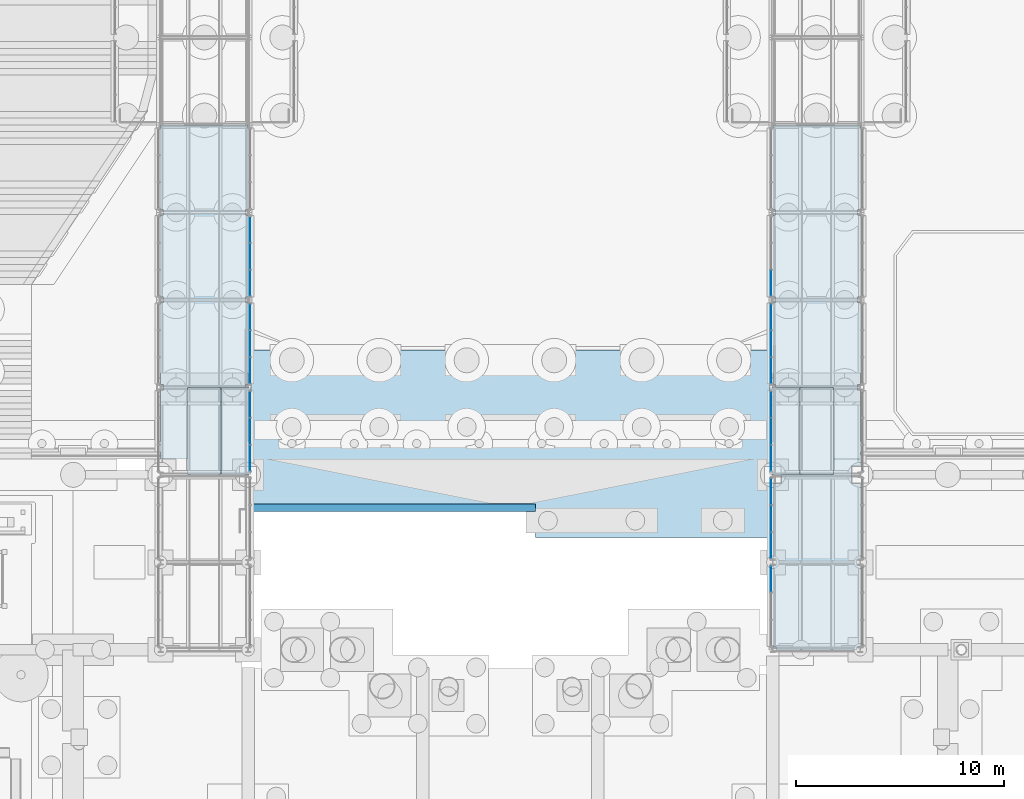
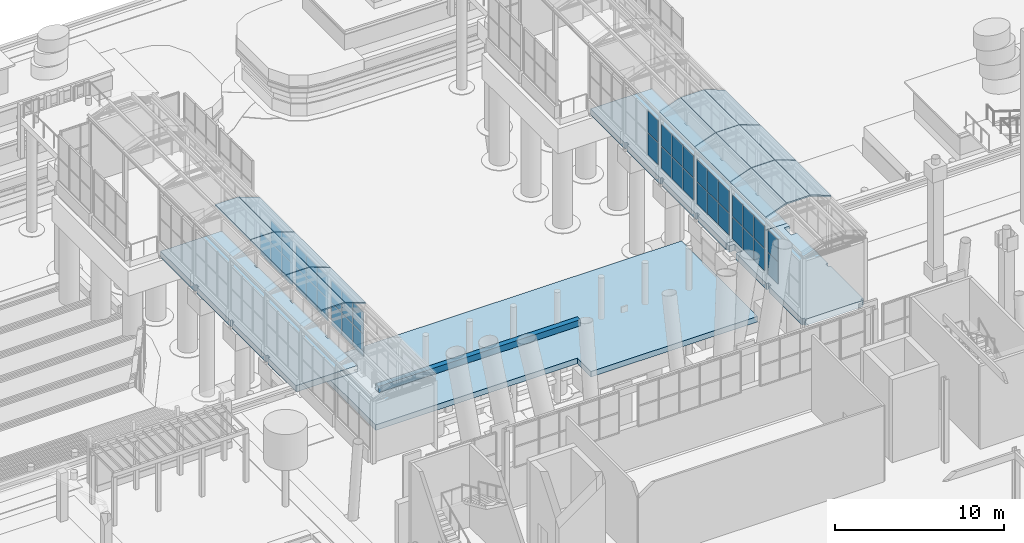
# One storey, part 84 of 222: 39 plates, 20 slabs, 8 elements without a shape of their own.
"""IFC4 building model written with IfcOpenShell, lengths in metres."""

from ifc_helpers import new_model, si_unit, direction, frame, origin, origin_2d, place, context, subcontext, project, spatial, polyline, rectangle, outline, extrude, material, layer, layer_set, type_object, element, aggregate, save


model = new_model("IFC4")

# Units and contexts
model_context = context("Model", 3, precision=1e-05, world=origin(), true_north=direction((0.0, 1.0)))
body_context = subcontext(model_context, "Body", "Model", "MODEL_VIEW")
ifc_project = project(units=[si_unit("LENGTHUNIT", "METRE"), si_unit("AREAUNIT", "SQUARE_METRE"), si_unit("VOLUMEUNIT", "CUBIC_METRE"), si_unit("PLANEANGLEUNIT", "RADIAN"), si_unit("MASSUNIT", "GRAM", prefix="KILO")], contexts=[model_context])

# Site, building, storey
site_placement = place(None, origin())
site = spatial("IfcSite", under=ifc_project, at=site_placement, CompositionType="ELEMENT")
building_placement = place(site_placement, origin())
building = spatial("IfcBuilding", under=site, at=building_placement, Name="Sava Quay Ferry Terminal", CompositionType="ELEMENT")
storey_placement = place(building_placement, origin())
storey = spatial("IfcBuildingStorey", under=building, at=storey_placement, Name="L00", CompositionType="ELEMENT", Elevation=0.0)

# Curtain wall, plates
ifc_material_1 = material(Name="Aluminium and glass curtain wall, double glazed", Category="aluminium")
curtain_wall_type = type_object("IfcCurtainWallType", Name="Curtain wall CW-B gallery", PredefinedType="NOTDEFINED", material=ifc_material_1)
curtain_wall_1_placement = place(storey_placement, origin())
curtain_wall_1 = element("IfcCurtainWall", 1, at=curtain_wall_1_placement, inside=storey, type_object=curtain_wall_type, Name="Curtain wall B1-E L00 bay 3", PredefinedType="NOTDEFINED")
ifc_material_2 = material(Name="Laminated glass, double glazed unit", Category="glass")
ifc_layer_1 = layer(ifc_material_2, 0.02392578125)
ifc_layer_set_1 = layer_set([ifc_layer_1], Name="Laminated glass, double glazed unit")
plate_type = type_object("IfcPlateType", Name="Glass panel 24 double", PredefinedType="CURTAIN_PANEL", material=ifc_layer_set_1)
plate_1_placement = place(storey_placement, frame((50.5, 118.41259765625, 0.9501953125), z_axis=(0.0, 0.0, 1.0), x_axis=(0.0, 1.0, 0.0)))
plate_1 = element("IfcPlate", 2, at=plate_1_placement, type_object=plate_type, Name="CW3 panel 1.1", PredefinedType="CURTAIN_PANEL", context=body_context, shape_type="SweptSolid", body=[
    extrude(rectangle(XDim=1.22509765625, YDim=0.02392578125, at=origin_2d()), origin(), (0.0, 0.0, 1.0), 1.574951171875),
])
plate_2_placement = place(storey_placement, frame((50.5, 118.41259765625, 2.5751953125), z_axis=(0.0, 0.0, 1.0), x_axis=(0.0, 1.0, 0.0)))
plate_2 = element("IfcPlate", 3, at=plate_2_placement, type_object=plate_type, Name="CW3 panel 1.2", PredefinedType="CURTAIN_PANEL", context=body_context, shape_type="SweptSolid", body=[
    extrude(rectangle(XDim=1.22509765625, YDim=0.02392578125, at=origin_2d()), origin(), (0.0, 0.0, 1.0), 1.574951171875),
])
plate_3_placement = place(storey_placement, frame((50.5, 119.699951171875, 0.9501953125), z_axis=(0.0, 0.0, 1.0), x_axis=(0.0, 1.0, 0.0)))
plate_3 = element("IfcPlate", 4, at=plate_3_placement, type_object=plate_type, Name="CW3 panel 2.1", PredefinedType="CURTAIN_PANEL", context=body_context, shape_type="SweptSolid", body=[
    extrude(rectangle(XDim=1.25, YDim=0.02392578125, at=origin_2d()), origin(), (0.0, 0.0, 1.0), 1.574951171875),
])
plate_4_placement = place(storey_placement, frame((50.5, 119.699951171875, 2.5751953125), z_axis=(0.0, 0.0, 1.0), x_axis=(0.0, 1.0, 0.0)))
plate_4 = element("IfcPlate", 5, at=plate_4_placement, type_object=plate_type, Name="CW3 panel 2.2", PredefinedType="CURTAIN_PANEL", context=body_context, shape_type="SweptSolid", body=[
    extrude(rectangle(XDim=1.25, YDim=0.02392578125, at=origin_2d()), origin(), (0.0, 0.0, 1.0), 1.574951171875),
])
plate_5_placement = place(storey_placement, frame((50.5, 120.987548828125, 0.9501953125), z_axis=(0.0, 0.0, 1.0), x_axis=(0.0, 1.0, 0.0)))
plate_5 = element("IfcPlate", 6, at=plate_5_placement, type_object=plate_type, Name="CW3 panel 3.1", PredefinedType="CURTAIN_PANEL", context=body_context, shape_type="SweptSolid", body=[
    extrude(rectangle(XDim=1.22509765625, YDim=0.02392578125, at=origin_2d()), origin(), (0.0, 0.0, 1.0), 1.574951171875),
])
plate_6_placement = place(storey_placement, frame((50.5, 120.987548828125, 2.5751953125), z_axis=(0.0, 0.0, 1.0), x_axis=(0.0, 1.0, 0.0)))
plate_6 = element("IfcPlate", 7, at=plate_6_placement, type_object=plate_type, Name="CW3 panel 3.2", PredefinedType="CURTAIN_PANEL", context=body_context, shape_type="SweptSolid", body=[
    extrude(rectangle(XDim=1.22509765625, YDim=0.02392578125, at=origin_2d()), origin(), (0.0, 0.0, 1.0), 1.574951171875),
])
aggregate(curtain_wall_1, [plate_1, plate_2, plate_3, plate_4, plate_5, plate_6])

curtain_wall_2_placement = place(storey_placement, origin())
curtain_wall_2 = element("IfcCurtainWall", 8, at=curtain_wall_2_placement, inside=storey, type_object=curtain_wall_type, Name="Curtain wall B1-E L00 bay 4", PredefinedType="NOTDEFINED")
plate_7_placement = place(storey_placement, frame((50.5, 122.612548828125, 0.9501953125), z_axis=(0.0, 0.0, 1.0), x_axis=(0.0, 1.0, 0.0)))
plate_7 = element("IfcPlate", 9, at=plate_7_placement, type_object=plate_type, Name="CW4 panel 1.1", PredefinedType="CURTAIN_PANEL", context=body_context, shape_type="SweptSolid", body=[
    extrude(rectangle(XDim=1.22509765625, YDim=0.02392578125, at=origin_2d()), origin(), (0.0, 0.0, 1.0), 1.574951171875),
])
plate_8_placement = place(storey_placement, frame((50.5, 122.612548828125, 2.5751953125), z_axis=(0.0, 0.0, 1.0), x_axis=(0.0, 1.0, 0.0)))
plate_8 = element("IfcPlate", 10, at=plate_8_placement, type_object=plate_type, Name="CW4 panel 1.2", PredefinedType="CURTAIN_PANEL", context=body_context, shape_type="SweptSolid", body=[
    extrude(rectangle(XDim=1.22509765625, YDim=0.02392578125, at=origin_2d()), origin(), (0.0, 0.0, 1.0), 1.574951171875),
])
plate_9_placement = place(storey_placement, frame((50.5, 123.89990234375, 0.9501953125), z_axis=(0.0, 0.0, 1.0), x_axis=(0.0, 1.0, 0.0)))
plate_9 = element("IfcPlate", 11, at=plate_9_placement, type_object=plate_type, Name="CW4 panel 2.1", PredefinedType="CURTAIN_PANEL", context=body_context, shape_type="SweptSolid", body=[
    extrude(rectangle(XDim=1.25, YDim=0.02392578125, at=origin_2d()), origin(), (0.0, 0.0, 1.0), 1.574951171875),
])
plate_10_placement = place(storey_placement, frame((50.5, 123.89990234375, 2.5751953125), z_axis=(0.0, 0.0, 1.0), x_axis=(0.0, 1.0, 0.0)))
plate_10 = element("IfcPlate", 12, at=plate_10_placement, type_object=plate_type, Name="CW4 panel 2.2", PredefinedType="CURTAIN_PANEL", context=body_context, shape_type="SweptSolid", body=[
    extrude(rectangle(XDim=1.25, YDim=0.02392578125, at=origin_2d()), origin(), (0.0, 0.0, 1.0), 1.574951171875),
])
plate_11_placement = place(storey_placement, frame((50.5, 125.1875, 0.9501953125), z_axis=(0.0, 0.0, 1.0), x_axis=(0.0, 1.0, 0.0)))
plate_11 = element("IfcPlate", 13, at=plate_11_placement, type_object=plate_type, Name="CW4 panel 3.1", PredefinedType="CURTAIN_PANEL", context=body_context, shape_type="SweptSolid", body=[
    extrude(rectangle(XDim=1.22509765625, YDim=0.02392578125, at=origin_2d()), origin(), (0.0, 0.0, 1.0), 1.574951171875),
])
plate_12_placement = place(storey_placement, frame((50.5, 125.1875, 2.5751953125), z_axis=(0.0, 0.0, 1.0), x_axis=(0.0, 1.0, 0.0)))
plate_12 = element("IfcPlate", 14, at=plate_12_placement, type_object=plate_type, Name="CW4 panel 3.2", PredefinedType="CURTAIN_PANEL", context=body_context, shape_type="SweptSolid", body=[
    extrude(rectangle(XDim=1.22509765625, YDim=0.02392578125, at=origin_2d()), origin(), (0.0, 0.0, 1.0), 1.574951171875),
])
aggregate(curtain_wall_2, [plate_7, plate_8, plate_9, plate_10, plate_11, plate_12])

curtain_wall_3_placement = place(storey_placement, origin())
curtain_wall_3 = element("IfcCurtainWall", 15, at=curtain_wall_3_placement, inside=storey, type_object=curtain_wall_type, Name="Curtain wall B1-E L00 bay 5", PredefinedType="NOTDEFINED")
plate_13_placement = place(storey_placement, frame((50.5, 126.8125, 0.9501953125), z_axis=(0.0, 0.0, 1.0), x_axis=(0.0, 1.0, 0.0)))
plate_13 = element("IfcPlate", 16, at=plate_13_placement, type_object=plate_type, Name="CW5 panel 1.1", PredefinedType="CURTAIN_PANEL", context=body_context, shape_type="SweptSolid", body=[
    extrude(rectangle(XDim=1.22509765625, YDim=0.02392578125, at=origin_2d()), origin(), (0.0, 0.0, 1.0), 1.574951171875),
])
plate_14_placement = place(storey_placement, frame((50.5, 126.8125, 2.5751953125), z_axis=(0.0, 0.0, 1.0), x_axis=(0.0, 1.0, 0.0)))
plate_14 = element("IfcPlate", 17, at=plate_14_placement, type_object=plate_type, Name="CW5 panel 1.2", PredefinedType="CURTAIN_PANEL", context=body_context, shape_type="SweptSolid", body=[
    extrude(rectangle(XDim=1.22509765625, YDim=0.02392578125, at=origin_2d()), origin(), (0.0, 0.0, 1.0), 1.574951171875),
])
plate_15_placement = place(storey_placement, frame((50.5, 128.10009765625, 0.9501953125), z_axis=(0.0, 0.0, 1.0), x_axis=(0.0, 1.0, 0.0)))
plate_15 = element("IfcPlate", 18, at=plate_15_placement, type_object=plate_type, Name="CW5 panel 2.1", PredefinedType="CURTAIN_PANEL", context=body_context, shape_type="SweptSolid", body=[
    extrude(rectangle(XDim=1.25, YDim=0.02392578125, at=origin_2d()), origin(), (0.0, 0.0, 1.0), 1.574951171875),
])
plate_16_placement = place(storey_placement, frame((50.5, 128.10009765625, 2.5751953125), z_axis=(0.0, 0.0, 1.0), x_axis=(0.0, 1.0, 0.0)))
plate_16 = element("IfcPlate", 19, at=plate_16_placement, type_object=plate_type, Name="CW5 panel 2.2", PredefinedType="CURTAIN_PANEL", context=body_context, shape_type="SweptSolid", body=[
    extrude(rectangle(XDim=1.25, YDim=0.02392578125, at=origin_2d()), origin(), (0.0, 0.0, 1.0), 1.574951171875),
])
plate_17_placement = place(storey_placement, frame((50.5, 129.387451171875, 0.9501953125), z_axis=(0.0, 0.0, 1.0), x_axis=(0.0, 1.0, 0.0)))
plate_17 = element("IfcPlate", 20, at=plate_17_placement, type_object=plate_type, Name="CW5 panel 3.1", PredefinedType="CURTAIN_PANEL", context=body_context, shape_type="SweptSolid", body=[
    extrude(rectangle(XDim=1.22509765625, YDim=0.02392578125, at=origin_2d()), origin(), (0.0, 0.0, 1.0), 1.574951171875),
])
aggregate(curtain_wall_3, [plate_13, plate_14, plate_15, plate_16, plate_17])

curtain_wall_4_placement = place(storey_placement, origin())
curtain_wall_4 = element("IfcCurtainWall", 21, at=curtain_wall_4_placement, inside=storey, type_object=curtain_wall_type, Name="Curtain wall B2-W L00 bay 1", PredefinedType="NOTDEFINED")
plate_18_placement = place(storey_placement, frame((75.5, 112.58740234375, 0.9501953125), z_axis=(0.0, 0.0, 1.0), x_axis=(0.0, 1.0, 0.0)))
plate_18 = element("IfcPlate", 22, at=plate_18_placement, type_object=plate_type, Name="CW31 panel 3.1", PredefinedType="CURTAIN_PANEL", context=body_context, shape_type="SweptSolid", body=[
    extrude(rectangle(XDim=1.22509765625, YDim=0.02392578125, at=origin_2d()), origin(), (0.0, 0.0, 1.0), 1.574951171875),
])
plate_19_placement = place(storey_placement, frame((75.5, 112.58740234375, 2.5751953125), z_axis=(0.0, 0.0, 1.0), x_axis=(0.0, 1.0, 0.0)))
plate_19 = element("IfcPlate", 23, at=plate_19_placement, type_object=plate_type, Name="CW31 panel 3.2", PredefinedType="CURTAIN_PANEL", context=body_context, shape_type="SweptSolid", body=[
    extrude(rectangle(XDim=1.22509765625, YDim=0.02392578125, at=origin_2d()), origin(), (0.0, 0.0, 1.0), 1.574951171875),
])
aggregate(curtain_wall_4, [plate_18, plate_19])

curtain_wall_5_placement = place(storey_placement, origin())
curtain_wall_5 = element("IfcCurtainWall", 24, at=curtain_wall_5_placement, inside=storey, type_object=curtain_wall_type, Name="Curtain wall B2-W L00 bay 2", PredefinedType="NOTDEFINED")
plate_20_placement = place(storey_placement, frame((75.5, 114.21240234375, 0.9501953125), z_axis=(0.0, 0.0, 1.0), x_axis=(0.0, 1.0, 0.0)))
plate_20 = element("IfcPlate", 25, at=plate_20_placement, type_object=plate_type, Name="CW32 panel 1.1", PredefinedType="CURTAIN_PANEL", context=body_context, shape_type="SweptSolid", body=[
    extrude(rectangle(XDim=1.22509765625, YDim=0.02392578125, at=origin_2d()), origin(), (0.0, 0.0, 1.0), 1.574951171875),
])
plate_21_placement = place(storey_placement, frame((75.5, 114.21240234375, 2.5751953125), z_axis=(0.0, 0.0, 1.0), x_axis=(0.0, 1.0, 0.0)))
plate_21 = element("IfcPlate", 26, at=plate_21_placement, type_object=plate_type, Name="CW32 panel 1.2", PredefinedType="CURTAIN_PANEL", context=body_context, shape_type="SweptSolid", body=[
    extrude(rectangle(XDim=1.22509765625, YDim=0.02392578125, at=origin_2d()), origin(), (0.0, 0.0, 1.0), 1.574951171875),
])
plate_22_placement = place(storey_placement, frame((75.5, 115.5, 0.9501953125), z_axis=(0.0, 0.0, 1.0), x_axis=(0.0, 1.0, 0.0)))
plate_22 = element("IfcPlate", 27, at=plate_22_placement, type_object=plate_type, Name="CW32 panel 2.1", PredefinedType="CURTAIN_PANEL", context=body_context, shape_type="SweptSolid", body=[
    extrude(rectangle(XDim=1.25, YDim=0.02392578125, at=origin_2d()), origin(), (0.0, 0.0, 1.0), 1.574951171875),
])
plate_23_placement = place(storey_placement, frame((75.5, 115.5, 2.5751953125), z_axis=(0.0, 0.0, 1.0), x_axis=(0.0, 1.0, 0.0)))
plate_23 = element("IfcPlate", 28, at=plate_23_placement, type_object=plate_type, Name="CW32 panel 2.2", PredefinedType="CURTAIN_PANEL", context=body_context, shape_type="SweptSolid", body=[
    extrude(rectangle(XDim=1.25, YDim=0.02392578125, at=origin_2d()), origin(), (0.0, 0.0, 1.0), 1.574951171875),
])
plate_24_placement = place(storey_placement, frame((75.5, 116.78759765625, 0.9501953125), z_axis=(0.0, 0.0, 1.0), x_axis=(0.0, 1.0, 0.0)))
plate_24 = element("IfcPlate", 29, at=plate_24_placement, type_object=plate_type, Name="CW32 panel 3.1", PredefinedType="CURTAIN_PANEL", context=body_context, shape_type="SweptSolid", body=[
    extrude(rectangle(XDim=1.22509765625, YDim=0.02392578125, at=origin_2d()), origin(), (0.0, 0.0, 1.0), 1.574951171875),
])
plate_25_placement = place(storey_placement, frame((75.5, 116.78759765625, 2.5751953125), z_axis=(0.0, 0.0, 1.0), x_axis=(0.0, 1.0, 0.0)))
plate_25 = element("IfcPlate", 30, at=plate_25_placement, type_object=plate_type, Name="CW32 panel 3.2", PredefinedType="CURTAIN_PANEL", context=body_context, shape_type="SweptSolid", body=[
    extrude(rectangle(XDim=1.22509765625, YDim=0.02392578125, at=origin_2d()), origin(), (0.0, 0.0, 1.0), 1.574951171875),
])
aggregate(curtain_wall_5, [plate_20, plate_21, plate_22, plate_23, plate_24, plate_25])

curtain_wall_6_placement = place(storey_placement, origin())
curtain_wall_6 = element("IfcCurtainWall", 31, at=curtain_wall_6_placement, inside=storey, type_object=curtain_wall_type, Name="Curtain wall B2-W L00 bay 3", PredefinedType="NOTDEFINED")
plate_26_placement = place(storey_placement, frame((75.5, 118.41259765625, 0.9501953125), z_axis=(0.0, 0.0, 1.0), x_axis=(0.0, 1.0, 0.0)))
plate_26 = element("IfcPlate", 32, at=plate_26_placement, type_object=plate_type, Name="CW33 panel 1.1", PredefinedType="CURTAIN_PANEL", context=body_context, shape_type="SweptSolid", body=[
    extrude(rectangle(XDim=1.22509765625, YDim=0.02392578125, at=origin_2d()), origin(), (0.0, 0.0, 1.0), 1.574951171875),
])
plate_27_placement = place(storey_placement, frame((75.5, 118.41259765625, 2.5751953125), z_axis=(0.0, 0.0, 1.0), x_axis=(0.0, 1.0, 0.0)))
plate_27 = element("IfcPlate", 33, at=plate_27_placement, type_object=plate_type, Name="CW33 panel 1.2", PredefinedType="CURTAIN_PANEL", context=body_context, shape_type="SweptSolid", body=[
    extrude(rectangle(XDim=1.22509765625, YDim=0.02392578125, at=origin_2d()), origin(), (0.0, 0.0, 1.0), 1.574951171875),
])
plate_28_placement = place(storey_placement, frame((75.5, 119.699951171875, 0.9501953125), z_axis=(0.0, 0.0, 1.0), x_axis=(0.0, 1.0, 0.0)))
plate_28 = element("IfcPlate", 34, at=plate_28_placement, type_object=plate_type, Name="CW33 panel 2.1", PredefinedType="CURTAIN_PANEL", context=body_context, shape_type="SweptSolid", body=[
    extrude(rectangle(XDim=1.25, YDim=0.02392578125, at=origin_2d()), origin(), (0.0, 0.0, 1.0), 1.574951171875),
])
plate_29_placement = place(storey_placement, frame((75.5, 119.699951171875, 2.5751953125), z_axis=(0.0, 0.0, 1.0), x_axis=(0.0, 1.0, 0.0)))
plate_29 = element("IfcPlate", 35, at=plate_29_placement, type_object=plate_type, Name="CW33 panel 2.2", PredefinedType="CURTAIN_PANEL", context=body_context, shape_type="SweptSolid", body=[
    extrude(rectangle(XDim=1.25, YDim=0.02392578125, at=origin_2d()), origin(), (0.0, 0.0, 1.0), 1.574951171875),
])
plate_30_placement = place(storey_placement, frame((75.5, 120.987548828125, 0.9501953125), z_axis=(0.0, 0.0, 1.0), x_axis=(0.0, 1.0, 0.0)))
plate_30 = element("IfcPlate", 36, at=plate_30_placement, type_object=plate_type, Name="CW33 panel 3.1", PredefinedType="CURTAIN_PANEL", context=body_context, shape_type="SweptSolid", body=[
    extrude(rectangle(XDim=1.22509765625, YDim=0.02392578125, at=origin_2d()), origin(), (0.0, 0.0, 1.0), 1.574951171875),
])
plate_31_placement = place(storey_placement, frame((75.5, 120.987548828125, 2.5751953125), z_axis=(0.0, 0.0, 1.0), x_axis=(0.0, 1.0, 0.0)))
plate_31 = element("IfcPlate", 37, at=plate_31_placement, type_object=plate_type, Name="CW33 panel 3.2", PredefinedType="CURTAIN_PANEL", context=body_context, shape_type="SweptSolid", body=[
    extrude(rectangle(XDim=1.22509765625, YDim=0.02392578125, at=origin_2d()), origin(), (0.0, 0.0, 1.0), 1.574951171875),
])
aggregate(curtain_wall_6, [plate_26, plate_27, plate_28, plate_29, plate_30, plate_31])

curtain_wall_7_placement = place(storey_placement, origin())
curtain_wall_7 = element("IfcCurtainWall", 38, at=curtain_wall_7_placement, inside=storey, type_object=curtain_wall_type, Name="Curtain wall B2-W L00 bay 4", PredefinedType="NOTDEFINED")
plate_32_placement = place(storey_placement, frame((75.5, 122.612548828125, 0.9501953125), z_axis=(0.0, 0.0, 1.0), x_axis=(0.0, 1.0, 0.0)))
plate_32 = element("IfcPlate", 39, at=plate_32_placement, type_object=plate_type, Name="CW34 panel 1.1", PredefinedType="CURTAIN_PANEL", context=body_context, shape_type="SweptSolid", body=[
    extrude(rectangle(XDim=1.22509765625, YDim=0.02392578125, at=origin_2d()), origin(), (0.0, 0.0, 1.0), 1.574951171875),
])
plate_33_placement = place(storey_placement, frame((75.5, 122.612548828125, 2.5751953125), z_axis=(0.0, 0.0, 1.0), x_axis=(0.0, 1.0, 0.0)))
plate_33 = element("IfcPlate", 40, at=plate_33_placement, type_object=plate_type, Name="CW34 panel 1.2", PredefinedType="CURTAIN_PANEL", context=body_context, shape_type="SweptSolid", body=[
    extrude(rectangle(XDim=1.22509765625, YDim=0.02392578125, at=origin_2d()), origin(), (0.0, 0.0, 1.0), 1.574951171875),
])
plate_34_placement = place(storey_placement, frame((75.5, 123.89990234375, 0.9501953125), z_axis=(0.0, 0.0, 1.0), x_axis=(0.0, 1.0, 0.0)))
plate_34 = element("IfcPlate", 41, at=plate_34_placement, type_object=plate_type, Name="CW34 panel 2.1", PredefinedType="CURTAIN_PANEL", context=body_context, shape_type="SweptSolid", body=[
    extrude(rectangle(XDim=1.25, YDim=0.02392578125, at=origin_2d()), origin(), (0.0, 0.0, 1.0), 1.574951171875),
])
plate_35_placement = place(storey_placement, frame((75.5, 123.89990234375, 2.5751953125), z_axis=(0.0, 0.0, 1.0), x_axis=(0.0, 1.0, 0.0)))
plate_35 = element("IfcPlate", 42, at=plate_35_placement, type_object=plate_type, Name="CW34 panel 2.2", PredefinedType="CURTAIN_PANEL", context=body_context, shape_type="SweptSolid", body=[
    extrude(rectangle(XDim=1.25, YDim=0.02392578125, at=origin_2d()), origin(), (0.0, 0.0, 1.0), 1.574951171875),
])
plate_36_placement = place(storey_placement, frame((75.5, 125.1875, 0.9501953125), z_axis=(0.0, 0.0, 1.0), x_axis=(0.0, 1.0, 0.0)))
plate_36 = element("IfcPlate", 43, at=plate_36_placement, type_object=plate_type, Name="CW34 panel 3.1", PredefinedType="CURTAIN_PANEL", context=body_context, shape_type="SweptSolid", body=[
    extrude(rectangle(XDim=1.22509765625, YDim=0.02392578125, at=origin_2d()), origin(), (0.0, 0.0, 1.0), 1.574951171875),
])
plate_37_placement = place(storey_placement, frame((75.5, 125.1875, 2.5751953125), z_axis=(0.0, 0.0, 1.0), x_axis=(0.0, 1.0, 0.0)))
plate_37 = element("IfcPlate", 44, at=plate_37_placement, type_object=plate_type, Name="CW34 panel 3.2", PredefinedType="CURTAIN_PANEL", context=body_context, shape_type="SweptSolid", body=[
    extrude(rectangle(XDim=1.22509765625, YDim=0.02392578125, at=origin_2d()), origin(), (0.0, 0.0, 1.0), 1.574951171875),
])
aggregate(curtain_wall_7, [plate_32, plate_33, plate_34, plate_35, plate_36, plate_37])

curtain_wall_8_placement = place(storey_placement, origin())
curtain_wall_8 = element("IfcCurtainWall", 45, at=curtain_wall_8_placement, inside=storey, type_object=curtain_wall_type, Name="Curtain wall B2-W L00 bay 5", PredefinedType="NOTDEFINED")
plate_38_placement = place(storey_placement, frame((75.5, 126.8125, 0.9501953125), z_axis=(0.0, 0.0, 1.0), x_axis=(0.0, 1.0, 0.0)))
plate_38 = element("IfcPlate", 46, at=plate_38_placement, type_object=plate_type, Name="CW35 panel 1.1", PredefinedType="CURTAIN_PANEL", context=body_context, shape_type="SweptSolid", body=[
    extrude(rectangle(XDim=1.22509765625, YDim=0.02392578125, at=origin_2d()), origin(), (0.0, 0.0, 1.0), 1.574951171875),
])
plate_39_placement = place(storey_placement, frame((75.5, 126.8125, 2.5751953125), z_axis=(0.0, 0.0, 1.0), x_axis=(0.0, 1.0, 0.0)))
plate_39 = element("IfcPlate", 47, at=plate_39_placement, type_object=plate_type, Name="CW35 panel 1.2", PredefinedType="CURTAIN_PANEL", context=body_context, shape_type="SweptSolid", body=[
    extrude(rectangle(XDim=1.22509765625, YDim=0.02392578125, at=origin_2d()), origin(), (0.0, 0.0, 1.0), 1.574951171875),
])
aggregate(curtain_wall_8, [plate_38, plate_39])

# Slabs
ifc_material_3 = material(Name="Concrete C40/50", Category="concrete")
ifc_layer_2 = layer(ifc_material_3, 0.449951171875)
ifc_layer_set_2 = layer_set([ifc_layer_2], Name="Concrete C40/50")
slab_type_1 = type_object("IfcSlabType", Name="RC deck slab 450", PredefinedType="FLOOR", material=ifc_layer_set_2)
slab_1_placement = place(storey_placement, frame((0.0, 0.0, -0.449951171875)))
element("IfcSlab", 48, at=slab_1_placement, inside=storey, type_object=slab_type_1, Name="B2 floor slab L00", PredefinedType="FLOOR", context=body_context, shape_type="SweptSolid", body=[
    extrude(outline(polyline([(79.800048828125, 109.35009765625), (79.64990234375, 109.35009765625), (79.64990234375, 109.199951171875), (75.75, 109.199951171875), (75.75, 109.35009765625), (75.60009765625, 109.35009765625), (75.60009765625, 113.25), (75.75, 113.25), (75.75, 113.550048828125), (75.60009765625, 113.550048828125), (75.60009765625, 114.60009765625), (75.60009765625, 116.199951171875), (75.60009765625, 117.179931640625), (76.02001953125, 117.179931640625), (76.02001953125, 118.02001953125), (75.60009765625, 118.02001953125), (75.60009765625, 118.35009765625), (79.800048828125, 118.35009765625), (79.800048828125, 118.02001953125), (79.3798828125, 118.02001953125), (79.3798828125, 117.179931640625), (79.800048828125, 117.179931640625), (79.800048828125, 113.550048828125), (79.64990234375, 113.550048828125), (79.64990234375, 113.25), (79.800048828125, 113.25), (79.800048828125, 109.35009765625)])), origin(), (0.0, 0.0, 1.0), 0.449951171875),
])
slab_2_placement = place(storey_placement, frame((0.0, 0.0, -0.449951171875)))
element("IfcSlab", 49, at=slab_2_placement, inside=storey, type_object=slab_type_1, Name="Quay deck slab", PredefinedType="FLOOR", context=body_context, shape_type="SweptSolid", body=[
    extrude(outline(polyline([(64.199951171875, 116.199951171875), (64.199951171875, 115.843017578125), (50.39990234375, 115.843017578125), (50.39990234375, 116.199951171875), (64.199951171875, 116.199951171875)])), origin(), (0.0, 0.0, 1.0), 0.449951171875),
])
slab_3_placement = place(storey_placement, frame((0.0, 0.0, -0.449951171875)))
element("IfcSlab", 50, at=slab_3_placement, inside=storey, type_object=slab_type_1, Name="B1 gallery floor over the water", PredefinedType="FLOOR", context=body_context, shape_type="SweptSolid", body=[
    extrude(outline(polyline([(50.39990234375, 118.35009765625), (46.199951171875, 118.35009765625), (46.199951171875, 121.669921875), (46.330078125, 121.669921875), (46.330078125, 121.929931640625), (46.199951171875, 121.929931640625), (46.199951171875, 125.8701171875), (46.330078125, 125.8701171875), (46.330078125, 126.1298828125), (46.199951171875, 126.1298828125), (46.199951171875, 130.070068359375), (46.330078125, 130.070068359375), (46.330078125, 130.330078125), (46.199951171875, 130.330078125), (46.199951171875, 134.39990234375), (50.39990234375, 134.39990234375), (50.39990234375, 130.330078125), (50.27001953125, 130.330078125), (50.27001953125, 130.070068359375), (50.39990234375, 130.070068359375), (50.39990234375, 126.1298828125), (50.27001953125, 126.1298828125), (50.27001953125, 125.8701171875), (50.39990234375, 125.8701171875), (50.39990234375, 121.929931640625), (50.27001953125, 121.929931640625), (50.27001953125, 121.669921875), (50.39990234375, 121.669921875), (50.39990234375, 118.35009765625)])), origin(), (0.0, 0.0, 1.0), 0.449951171875),
])
slab_4_placement = place(storey_placement, frame((0.0, 0.0, -0.449951171875)))
element("IfcSlab", 51, at=slab_4_placement, inside=storey, type_object=slab_type_1, Name="B2 gallery floor over the water", PredefinedType="FLOOR", context=body_context, shape_type="SweptSolid", body=[
    extrude(outline(polyline([(79.800048828125, 118.35009765625), (75.60009765625, 118.35009765625), (75.60009765625, 121.669921875), (75.72998046875, 121.669921875), (75.72998046875, 121.929931640625), (75.60009765625, 121.929931640625), (75.60009765625, 125.8701171875), (75.72998046875, 125.8701171875), (75.72998046875, 126.1298828125), (75.60009765625, 126.1298828125), (75.60009765625, 130.070068359375), (75.72998046875, 130.070068359375), (75.72998046875, 130.330078125), (75.60009765625, 130.330078125), (75.60009765625, 134.39990234375), (79.800048828125, 134.39990234375), (79.800048828125, 130.330078125), (79.669921875, 130.330078125), (79.669921875, 130.070068359375), (79.800048828125, 130.070068359375), (79.800048828125, 126.1298828125), (79.669921875, 126.1298828125), (79.669921875, 125.8701171875), (79.800048828125, 125.8701171875), (79.800048828125, 121.929931640625), (79.669921875, 121.929931640625), (79.669921875, 121.669921875), (79.800048828125, 121.669921875), (79.800048828125, 118.35009765625)])), origin(), (0.0, 0.0, 1.0), 0.449951171875),
])
ifc_material_4 = material(Name="Concrete C40/50", Category="concrete")
ifc_layer_3 = layer(ifc_material_4, 0.39990234375)
ifc_layer_set_3 = layer_set([ifc_layer_3], Name="Concrete C40/50")
slab_type_2 = type_object("IfcSlabType", Name="RC terrace slab 400", PredefinedType="FLOOR", material=ifc_layer_set_3)
slab_5_placement = place(storey_placement, frame((0.0, 0.0, -3.39990234375)))
element("IfcSlab", 52, at=slab_5_placement, inside=storey, type_object=slab_type_2, Name="Water terrace slab", PredefinedType="FLOOR", context=body_context, shape_type="SweptSolid", body=[
    extrude(outline(polyline([(75.60009765625, 114.60009765625), (64.199951171875, 114.60009765625), (64.199951171875, 116.199951171875), (50.39990234375, 116.199951171875), (50.39990234375, 123.60009765625), (75.60009765625, 123.60009765625), (75.60009765625, 116.199951171875), (75.60009765625, 114.60009765625)])), origin(), (0.0, 0.0, 1.0), 0.39990234375),
])
ifc_material_5 = material(Name="Cross laminated timber C24", Category="wood")
ifc_layer_4 = layer(ifc_material_5, 0.10009765625)
ifc_layer_set_4 = layer_set([ifc_layer_4], Name="Cross laminated timber C24")
slab_type_3 = type_object("IfcSlabType", Name="Roof deck CLT 100", PredefinedType="ROOF", material=ifc_layer_set_4)
slab_6_placement = place(storey_placement, frame((47.498291015625, 117.610107421875, 5.4658203125), z_axis=(0.0, 0.0, 1.0), x_axis=(1.0, 0.0, 0.0)))
element("IfcSlab", 53, at=slab_6_placement, inside=storey, type_object=slab_type_3, Name="Boarding gallery B1 roof deck bay 3 facet 2", PredefinedType="ROOF", context=body_context, shape_type="SweptSolid", body=[
    extrude(outline(polyline([(0.0, 0.0), (1.603271484375, 0.0), (1.603271484375, 4.179931640625), (0.0, 4.179931640625), (0.0, 0.0)])), origin(), (0.0, 0.0, -1.0), 0.10009765625),
])
slab_7_placement = place(storey_placement, frame((49.12109375, 117.610107421875, 5.46240234375), z_axis=(0.342065251979, 0.0, 0.939676201353), x_axis=(0.939676201353, 0.0, -0.342065251979)))
element("IfcSlab", 54, at=slab_7_placement, inside=storey, type_object=slab_type_3, Name="Boarding gallery B1 roof deck bay 3 facet 3", PredefinedType="ROOF", context=body_context, shape_type="SweptSolid", body=[
    extrude(outline(polyline([(0.0, 0.0), (1.5209486168666146, 0.0), (1.5209486168666146, 4.179931640625), (0.0, 4.179931640625), (0.0, 0.0)])), origin(), (0.0, 0.0, -1.0), 0.10009765625),
])
slab_8_placement = place(storey_placement, frame((47.498291015625, 121.81005859375, 5.4658203125), z_axis=(0.0, 0.0, 1.0), x_axis=(1.0, 0.0, 0.0)))
element("IfcSlab", 55, at=slab_8_placement, inside=storey, type_object=slab_type_3, Name="Boarding gallery B1 roof deck bay 4 facet 2", PredefinedType="ROOF", context=body_context, shape_type="SweptSolid", body=[
    extrude(outline(polyline([(0.0, 0.0), (1.603271484375, 0.0), (1.603271484375, 4.179931640625), (0.0, 4.179931640625), (0.0, 0.0)])), origin(), (0.0, 0.0, -1.0), 0.10009765625),
])
slab_9_placement = place(storey_placement, frame((49.12109375, 121.81005859375, 5.46240234375), z_axis=(0.342065251979, 0.0, 0.939676201353), x_axis=(0.939676201353, 0.0, -0.342065251979)))
element("IfcSlab", 56, at=slab_9_placement, inside=storey, type_object=slab_type_3, Name="Boarding gallery B1 roof deck bay 4 facet 3", PredefinedType="ROOF", context=body_context, shape_type="SweptSolid", body=[
    extrude(outline(polyline([(0.0, 0.0), (1.5209486168666146, 0.0), (1.5209486168666146, 4.179931640625), (0.0, 4.179931640625), (0.0, 0.0)])), origin(), (0.0, 0.0, -1.0), 0.10009765625),
])
slab_10_placement = place(storey_placement, frame((47.498291015625, 126.010009765625, 5.4658203125), z_axis=(0.0, 0.0, 1.0), x_axis=(1.0, 0.0, 0.0)))
element("IfcSlab", 57, at=slab_10_placement, inside=storey, type_object=slab_type_3, Name="Boarding gallery B1 roof deck bay 5 facet 2", PredefinedType="ROOF", context=body_context, shape_type="SweptSolid", body=[
    extrude(outline(polyline([(0.0, 0.0), (1.603271484375, 0.0), (1.603271484375, 4.179931640625), (0.0, 4.179931640625), (0.0, 0.0)])), origin(), (0.0, 0.0, -1.0), 0.10009765625),
])
slab_11_placement = place(storey_placement, frame((49.12109375, 126.010009765625, 5.46240234375), z_axis=(0.342065251979, 0.0, 0.939676201353), x_axis=(0.939676201353, 0.0, -0.342065251979)))
element("IfcSlab", 58, at=slab_11_placement, inside=storey, type_object=slab_type_3, Name="Boarding gallery B1 roof deck bay 5 facet 3", PredefinedType="ROOF", context=body_context, shape_type="SweptSolid", body=[
    extrude(outline(polyline([(0.0, 0.0), (1.5209486168666146, 0.0), (1.5209486168666146, 4.179931640625), (0.0, 4.179931640625), (0.0, 0.0)])), origin(), (0.0, 0.0, -1.0), 0.10009765625),
])
slab_12_placement = place(storey_placement, frame((75.44970703125, 113.409912109375, 4.942138671875), z_axis=(-0.342065251979, 0.0, 0.939676201353), x_axis=(0.939676201353, 0.0, 0.342065251979)))
element("IfcSlab", 59, at=slab_12_placement, inside=storey, type_object=slab_type_3, Name="Boarding gallery B2 roof deck bay 2 facet 1", PredefinedType="ROOF", context=body_context, shape_type="SweptSolid", body=[
    extrude(outline(polyline([(0.0, 0.0), (1.5209486168666146, 0.0), (1.5209486168666146, 4.18017578125), (0.0, 4.18017578125), (0.0, 0.0)])), origin(), (0.0, 0.0, -1.0), 0.10009765625),
])
slab_13_placement = place(storey_placement, frame((76.8984375, 113.409912109375, 5.4658203125), z_axis=(0.0, 0.0, 1.0), x_axis=(1.0, 0.0, 0.0)))
element("IfcSlab", 60, at=slab_13_placement, inside=storey, type_object=slab_type_3, Name="Boarding gallery B2 roof deck bay 2 facet 2", PredefinedType="ROOF", context=body_context, shape_type="SweptSolid", body=[
    extrude(outline(polyline([(0.0, 0.0), (1.603271484375, 0.0), (1.603271484375, 4.18017578125), (0.0, 4.18017578125), (0.0, 0.0)])), origin(), (0.0, 0.0, -1.0), 0.10009765625),
])
slab_14_placement = place(storey_placement, frame((78.52099609375, 113.409912109375, 5.46240234375), z_axis=(0.342065251979, 0.0, 0.939676201353), x_axis=(0.939676201353, 0.0, -0.342065251979)))
element("IfcSlab", 61, at=slab_14_placement, inside=storey, type_object=slab_type_3, Name="Boarding gallery B2 roof deck bay 2 facet 3", PredefinedType="ROOF", context=body_context, shape_type="SweptSolid", body=[
    extrude(outline(polyline([(0.0, 0.0), (1.5209486168666146, 0.0), (1.5209486168666146, 4.18017578125), (0.0, 4.18017578125), (0.0, 0.0)])), origin(), (0.0, 0.0, -1.0), 0.10009765625),
])
slab_15_placement = place(storey_placement, frame((75.44970703125, 117.610107421875, 4.942138671875), z_axis=(-0.342065251979, 0.0, 0.939676201353), x_axis=(0.939676201353, 0.0, 0.342065251979)))
element("IfcSlab", 62, at=slab_15_placement, inside=storey, type_object=slab_type_3, Name="Boarding gallery B2 roof deck bay 3 facet 1", PredefinedType="ROOF", context=body_context, shape_type="SweptSolid", body=[
    extrude(outline(polyline([(0.0, 0.0), (1.5209486168666146, 0.0), (1.5209486168666146, 4.179931640625), (0.0, 4.179931640625), (0.0, 0.0)])), origin(), (0.0, 0.0, -1.0), 0.10009765625),
])
slab_16_placement = place(storey_placement, frame((76.8984375, 117.610107421875, 5.4658203125), z_axis=(0.0, 0.0, 1.0), x_axis=(1.0, 0.0, 0.0)))
element("IfcSlab", 63, at=slab_16_placement, inside=storey, type_object=slab_type_3, Name="Boarding gallery B2 roof deck bay 3 facet 2", PredefinedType="ROOF", context=body_context, shape_type="SweptSolid", body=[
    extrude(outline(polyline([(0.0, 0.0), (1.603271484375, 0.0), (1.603271484375, 4.179931640625), (0.0, 4.179931640625), (0.0, 0.0)])), origin(), (0.0, 0.0, -1.0), 0.10009765625),
])
for number, where, z_axis, x_axis, name in (
    (64, (78.52099609375, 117.610107421875, 5.46240234375), (0.342065251979, 0.0, 0.939676201353), (0.939676201353, 0.0, -0.342065251979), "Boarding gallery B2 roof deck bay 3 facet 3"),
    (65, (75.44970703125, 121.81005859375, 4.942138671875), (-0.342065251979, 0.0, 0.939676201353), (0.939676201353, 0.0, 0.342065251979), "Boarding gallery B2 roof deck bay 4 facet 1"),
):
    element("IfcSlab", number, at=place(storey_placement, frame(where, z_axis=z_axis, x_axis=x_axis)), inside=storey, type_object=slab_type_3, Name=name, PredefinedType="ROOF", context=body_context, shape_type="SweptSolid", body=[
        extrude(outline(polyline([(0.0, 0.0), (1.5209486168666146, 0.0), (1.5209486168666146, 4.179931640625), (0.0, 4.179931640625), (0.0, 0.0)])), origin(), (0.0, 0.0, -1.0), 0.10009765625),
    ])
slab_17_placement = place(storey_placement, frame((76.8984375, 121.81005859375, 5.4658203125), z_axis=(0.0, 0.0, 1.0), x_axis=(1.0, 0.0, 0.0)))
element("IfcSlab", 66, at=slab_17_placement, inside=storey, type_object=slab_type_3, Name="Boarding gallery B2 roof deck bay 4 facet 2", PredefinedType="ROOF", context=body_context, shape_type="SweptSolid", body=[
    extrude(outline(polyline([(0.0, 0.0), (1.603271484375, 0.0), (1.603271484375, 4.179931640625), (0.0, 4.179931640625), (0.0, 0.0)])), origin(), (0.0, 0.0, -1.0), 0.10009765625),
])
slab_18_placement = place(storey_placement, frame((78.52099609375, 121.81005859375, 5.46240234375), z_axis=(0.342065251979, 0.0, 0.939676201353), x_axis=(0.939676201353, 0.0, -0.342065251979)))
element("IfcSlab", 67, at=slab_18_placement, inside=storey, type_object=slab_type_3, Name="Boarding gallery B2 roof deck bay 4 facet 3", PredefinedType="ROOF", context=body_context, shape_type="SweptSolid", body=[
    extrude(outline(polyline([(0.0, 0.0), (1.5209486168666146, 0.0), (1.5209486168666146, 4.179931640625), (0.0, 4.179931640625), (0.0, 0.0)])), origin(), (0.0, 0.0, -1.0), 0.10009765625),
])

save(model, "model.ifc")
